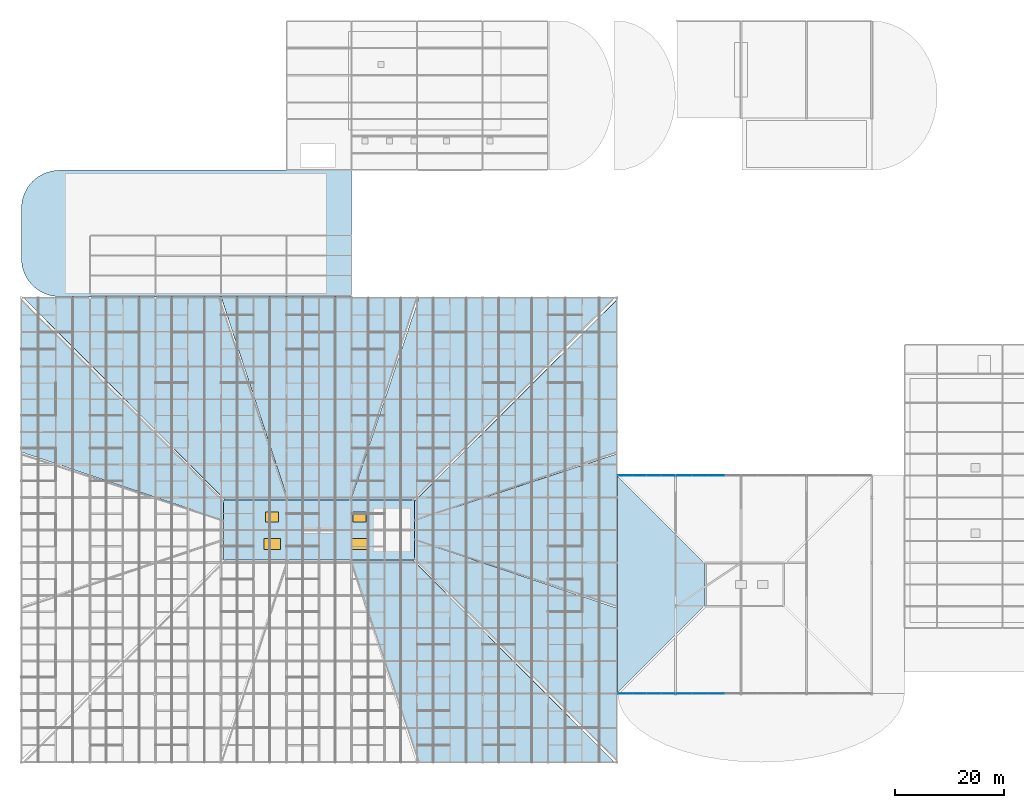
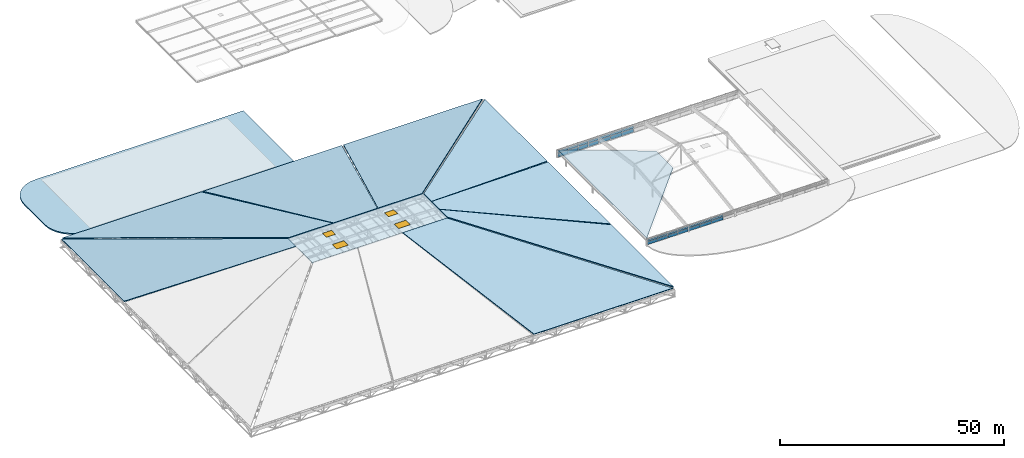
# One storey, part 74 of 80: 28 plates, 11 slabs, 4 windows, 4 openings, 4 elements without a shape of their own.
"""IFC4 building model written with IfcOpenShell, lengths in metres."""

from ifc_helpers import new_model, si_unit, direction, frame, origin, origin_2d, place, context, subcontext, project, spatial, polyline, rectangle, outline, extrude, material, layer, layer_set, type_object, element, fill, aggregate, save


model = new_model("IFC4")

# Units and contexts
model_context = context("Model", 3, precision=1e-05, world=origin(), true_north=direction((0.0, 1.0)))
body_context = subcontext(model_context, "Body", "Model", "MODEL_VIEW")
ifc_project = project(units=[si_unit("LENGTHUNIT", "METRE"), si_unit("AREAUNIT", "SQUARE_METRE"), si_unit("VOLUMEUNIT", "CUBIC_METRE"), si_unit("PLANEANGLEUNIT", "RADIAN"), si_unit("MASSUNIT", "GRAM", prefix="KILO"), si_unit("THERMODYNAMICTEMPERATUREUNIT", "KELVIN"), si_unit("POWERUNIT", "WATT")], contexts=[model_context])

# Site, building, storey
site_placement = place(None, origin())
site = spatial("IfcSite", under=ifc_project, at=site_placement, CompositionType="ELEMENT")
building_placement = place(site_placement, origin())
building = spatial("IfcBuilding", under=site, at=building_placement, Name="Solmara Park Aquatics Centre", CompositionType="ELEMENT")
storey_placement = place(building_placement, frame((0.0, 0.0, 22.800048828125)))
storey = spatial("IfcBuildingStorey", under=building, at=storey_placement, Name="RF", CompositionType="ELEMENT", Elevation=22.800048828125)

# Curtain wall, plates
ifc_material_1 = material(Name="Anodised Aluminium Curtain Wall Framing", Category="aluminium")
curtain_wall_type = type_object("IfcCurtainWallType", Name="ARC-CW-SYS06", PredefinedType="USERDEFINED", material=ifc_material_1)
curtain_wall_1_placement = place(storey_placement, origin())
curtain_wall_1 = element("IfcCurtainWall", 1, at=curtain_wall_1_placement, inside=storey, type_object=curtain_wall_type, Name="Curtain Wall CW-084", ObjectType="CURTAIN WALL", PredefinedType="USERDEFINED")
ifc_material_2 = material(Name="Acoustic Laminated Glazing", Category="glass")
ifc_layer_1 = layer(ifc_material_2, 0.028076171875, Name="Acoustic Laminated Glazing")
ifc_layer_set_1 = layer_set([ifc_layer_1], Name="Acoustic Laminated Glazing")
plate_type_1 = type_object("IfcPlateType", Name="ARC-CWP-GLZ28-2540x1000", PredefinedType="CURTAIN_PANEL", material=ifc_layer_set_1)
plate_1_placement = place(storey_placement, frame((113.364990234375, 52.60009765625, -8.320068359375), z_axis=(0.0, 0.0, 1.0), x_axis=(1.0, 0.0, 0.0)))
plate_1 = element("IfcPlate", 2, at=plate_1_placement, type_object=plate_type_1, Name="CW-084 panel 3", PredefinedType="CURTAIN_PANEL", context=body_context, shape_type="SweptSolid", body=[
    extrude(rectangle(XDim=2.550048828125, YDim=0.028076171875, at=origin_2d()), origin(), (0.0, 0.0, 1.0), 0.99365234375),
])
plate_2_placement = place(storey_placement, frame((115.9951171875, 52.60009765625, -8.320068359375), z_axis=(0.0, 0.0, 1.0), x_axis=(1.0, 0.0, 0.0)))
plate_2 = element("IfcPlate", 3, at=plate_2_placement, type_object=plate_type_1, Name="CW-084 panel 5", PredefinedType="CURTAIN_PANEL", context=body_context, shape_type="SweptSolid", body=[
    extrude(rectangle(XDim=2.550048828125, YDim=0.028076171875, at=origin_2d()), origin(), (0.0, 0.0, 1.0), 0.99365234375),
])

curtain_wall_2_placement = place(storey_placement, origin())
curtain_wall_2 = element("IfcCurtainWall", 4, at=curtain_wall_2_placement, inside=storey, type_object=curtain_wall_type, Name="Curtain Wall CW-083", ObjectType="CURTAIN WALL", PredefinedType="USERDEFINED")
ifc_layer_2 = layer(ifc_material_2, 0.028076171875, Name="Acoustic Laminated Glazing")
ifc_layer_set_2 = layer_set([ifc_layer_2], Name="Acoustic Laminated Glazing")
plate_type_2 = type_object("IfcPlateType", Name="ARC-CWP-GLZ28-2540x560", PredefinedType="CURTAIN_PANEL", material=ifc_layer_set_2)
plate_3_placement = place(storey_placement, frame((113.364990234375, 12.60009765625, -7.11181640625), z_axis=(0.0, 0.0, 1.0), x_axis=(1.0, 0.0, 0.0)))
plate_3 = element("IfcPlate", 5, at=plate_3_placement, type_object=plate_type_2, Name="CW-083 panel 4", PredefinedType="CURTAIN_PANEL", context=body_context, shape_type="SweptSolid", body=[
    extrude(rectangle(XDim=2.550048828125, YDim=0.028076171875, at=origin_2d()), origin(), (0.0, 0.0, 1.0), 0.552001953125),
])
plate_4_placement = place(storey_placement, frame((115.9951171875, 12.60009765625, -7.11181640625), z_axis=(0.0, 0.0, 1.0), x_axis=(1.0, 0.0, 0.0)))
plate_4 = element("IfcPlate", 6, at=plate_4_placement, type_object=plate_type_2, Name="CW-083 panel 6", PredefinedType="CURTAIN_PANEL", context=body_context, shape_type="SweptSolid", body=[
    extrude(rectangle(XDim=2.550048828125, YDim=0.028076171875, at=origin_2d()), origin(), (0.0, 0.0, 1.0), 0.552001953125),
])

# Plate
ifc_layer_3 = layer(ifc_material_2, 0.028076171875, Name="Acoustic Laminated Glazing")
ifc_layer_set_3 = layer_set([ifc_layer_3], Name="Acoustic Laminated Glazing")
plate_type_3 = type_object("IfcPlateType", Name="ARC-CWP-GLZ28-2540x680", PredefinedType="CURTAIN_PANEL", material=ifc_layer_set_3)
plate_5_placement = place(storey_placement, frame((113.364990234375, 52.60009765625, -7.24658203125), z_axis=(0.0, 0.0, 1.0), x_axis=(1.0, 0.0, 0.0)))
plate_5 = element("IfcPlate", 7, at=plate_5_placement, type_object=plate_type_3, Name="CW-084 panel 4", PredefinedType="CURTAIN_PANEL", context=body_context, shape_type="SweptSolid", body=[
    extrude(rectangle(XDim=2.550048828125, YDim=0.028076171875, at=origin_2d()), origin(), (0.0, 0.0, 1.0), 0.686279296875),
])

plate_6_placement = place(storey_placement, frame((115.9951171875, 52.60009765625, -7.24658203125), z_axis=(0.0, 0.0, 1.0), x_axis=(1.0, 0.0, 0.0)))
plate_6 = element("IfcPlate", 8, at=plate_6_placement, type_object=plate_type_3, Name="CW-084 panel 6", PredefinedType="CURTAIN_PANEL", context=body_context, shape_type="SweptSolid", body=[
    extrude(rectangle(XDim=2.550048828125, YDim=0.028076171875, at=origin_2d()), origin(), (0.0, 0.0, 1.0), 0.686279296875),
])

ifc_layer_4 = layer(ifc_material_2, 0.028076171875, Name="Acoustic Laminated Glazing")
ifc_layer_set_4 = layer_set([ifc_layer_4], Name="Acoustic Laminated Glazing")
plate_type_4 = type_object("IfcPlateType", Name="ARC-CWP-GLZ28-2540x800", PredefinedType="CURTAIN_PANEL", material=ifc_layer_set_4)
plate_7_placement = place(storey_placement, frame((113.364990234375, 12.60009765625, -8.0), z_axis=(0.0, 0.0, 1.0), x_axis=(1.0, 0.0, 0.0)))
plate_7 = element("IfcPlate", 9, at=plate_7_placement, type_object=plate_type_4, Name="CW-083 panel 3", PredefinedType="CURTAIN_PANEL", context=body_context, shape_type="SweptSolid", body=[
    extrude(rectangle(XDim=2.550048828125, YDim=0.028076171875, at=origin_2d()), origin(), (0.0, 0.0, 1.0), 0.80810546875),
])

plate_8_placement = place(storey_placement, frame((115.9951171875, 12.60009765625, -8.0), z_axis=(0.0, 0.0, 1.0), x_axis=(1.0, 0.0, 0.0)))
plate_8 = element("IfcPlate", 10, at=plate_8_placement, type_object=plate_type_4, Name="CW-083 panel 5", PredefinedType="CURTAIN_PANEL", context=body_context, shape_type="SweptSolid", body=[
    extrude(rectangle(XDim=2.550048828125, YDim=0.028076171875, at=origin_2d()), origin(), (0.0, 0.0, 1.0), 0.80810546875),
])

ifc_layer_5 = layer(ifc_material_2, 0.028076171875, Name="Acoustic Laminated Glazing")
ifc_layer_set_5 = layer_set([ifc_layer_5], Name="Acoustic Laminated Glazing")
plate_type_5 = type_object("IfcPlateType", Name="ARC-CWP-GLZ28-2560x1000", PredefinedType="CURTAIN_PANEL", material=ifc_layer_set_5)
plate_9_placement = place(storey_placement, frame((110.735107421875, 52.60009765625, -8.320068359375), z_axis=(0.0, 0.0, 1.0), x_axis=(1.0, 0.0, 0.0)))
plate_9 = element("IfcPlate", 11, at=plate_9_placement, type_object=plate_type_5, Name="CW-084 panel 1", PredefinedType="CURTAIN_PANEL", context=body_context, shape_type="SweptSolid", body=[
    extrude(rectangle(XDim=2.550048828125, YDim=0.028076171875, at=origin_2d()), origin(), (0.0, 0.0, 1.0), 0.99365234375),
])

plate_10_placement = place(storey_placement, frame((118.625, 52.60009765625, -8.320068359375), z_axis=(0.0, 0.0, 1.0), x_axis=(1.0, 0.0, 0.0)))
plate_10 = element("IfcPlate", 12, at=plate_10_placement, type_object=plate_type_5, Name="CW-084 panel 7", PredefinedType="CURTAIN_PANEL", context=body_context, shape_type="SweptSolid", body=[
    extrude(rectangle(XDim=2.550048828125, YDim=0.028076171875, at=origin_2d()), origin(), (0.0, 0.0, 1.0), 0.99365234375),
])

ifc_layer_6 = layer(ifc_material_2, 0.028076171875, Name="Acoustic Laminated Glazing")
ifc_layer_set_6 = layer_set([ifc_layer_6], Name="Acoustic Laminated Glazing")
plate_type_6 = type_object("IfcPlateType", Name="ARC-CWP-GLZ28-2560x560", PredefinedType="CURTAIN_PANEL", material=ifc_layer_set_6)
plate_11_placement = place(storey_placement, frame((110.735107421875, 12.60009765625, -7.11181640625), z_axis=(0.0, 0.0, 1.0), x_axis=(1.0, 0.0, 0.0)))
plate_11 = element("IfcPlate", 13, at=plate_11_placement, type_object=plate_type_6, Name="CW-083 panel 2", PredefinedType="CURTAIN_PANEL", context=body_context, shape_type="SweptSolid", body=[
    extrude(rectangle(XDim=2.550048828125, YDim=0.028076171875, at=origin_2d()), origin(), (0.0, 0.0, 1.0), 0.552001953125),
])

plate_12_placement = place(storey_placement, frame((118.625, 12.60009765625, -7.11181640625), z_axis=(0.0, 0.0, 1.0), x_axis=(1.0, 0.0, 0.0)))
plate_12 = element("IfcPlate", 14, at=plate_12_placement, type_object=plate_type_6, Name="CW-083 panel 8", PredefinedType="CURTAIN_PANEL", context=body_context, shape_type="SweptSolid", body=[
    extrude(rectangle(XDim=2.550048828125, YDim=0.028076171875, at=origin_2d()), origin(), (0.0, 0.0, 1.0), 0.552001953125),
])

ifc_layer_7 = layer(ifc_material_2, 0.028076171875, Name="Acoustic Laminated Glazing")
ifc_layer_set_7 = layer_set([ifc_layer_7], Name="Acoustic Laminated Glazing")
plate_type_7 = type_object("IfcPlateType", Name="ARC-CWP-GLZ28-2560x680", PredefinedType="CURTAIN_PANEL", material=ifc_layer_set_7)
plate_13_placement = place(storey_placement, frame((110.735107421875, 52.60009765625, -7.24658203125), z_axis=(0.0, 0.0, 1.0), x_axis=(1.0, 0.0, 0.0)))
plate_13 = element("IfcPlate", 15, at=plate_13_placement, type_object=plate_type_7, Name="CW-084 panel 2", PredefinedType="CURTAIN_PANEL", context=body_context, shape_type="SweptSolid", body=[
    extrude(rectangle(XDim=2.550048828125, YDim=0.028076171875, at=origin_2d()), origin(), (0.0, 0.0, 1.0), 0.686279296875),
])

plate_14_placement = place(storey_placement, frame((118.625, 52.60009765625, -7.24658203125), z_axis=(0.0, 0.0, 1.0), x_axis=(1.0, 0.0, 0.0)))
plate_14 = element("IfcPlate", 16, at=plate_14_placement, type_object=plate_type_7, Name="CW-084 panel 8", PredefinedType="CURTAIN_PANEL", context=body_context, shape_type="SweptSolid", body=[
    extrude(rectangle(XDim=2.550048828125, YDim=0.028076171875, at=origin_2d()), origin(), (0.0, 0.0, 1.0), 0.686279296875),
])

aggregate(curtain_wall_1, [plate_9, plate_13, plate_1, plate_5, plate_2, plate_6, plate_10, plate_14])

ifc_layer_8 = layer(ifc_material_2, 0.028076171875, Name="Acoustic Laminated Glazing")
ifc_layer_set_8 = layer_set([ifc_layer_8], Name="Acoustic Laminated Glazing")
plate_type_8 = type_object("IfcPlateType", Name="ARC-CWP-GLZ28-2560x800", PredefinedType="CURTAIN_PANEL", material=ifc_layer_set_8)
plate_15_placement = place(storey_placement, frame((110.735107421875, 12.60009765625, -8.0), z_axis=(0.0, 0.0, 1.0), x_axis=(1.0, 0.0, 0.0)))
plate_15 = element("IfcPlate", 17, at=plate_15_placement, type_object=plate_type_8, Name="CW-083 panel 1", PredefinedType="CURTAIN_PANEL", context=body_context, shape_type="SweptSolid", body=[
    extrude(rectangle(XDim=2.550048828125, YDim=0.028076171875, at=origin_2d()), origin(), (0.0, 0.0, 1.0), 0.80810546875),
])

plate_16_placement = place(storey_placement, frame((118.625, 12.60009765625, -8.0), z_axis=(0.0, 0.0, 1.0), x_axis=(1.0, 0.0, 0.0)))
plate_16 = element("IfcPlate", 18, at=plate_16_placement, type_object=plate_type_8, Name="CW-083 panel 7", PredefinedType="CURTAIN_PANEL", context=body_context, shape_type="SweptSolid", body=[
    extrude(rectangle(XDim=2.550048828125, YDim=0.028076171875, at=origin_2d()), origin(), (0.0, 0.0, 1.0), 0.80810546875),
])

aggregate(curtain_wall_2, [plate_15, plate_11, plate_7, plate_3, plate_8, plate_4, plate_16, plate_12])

# Curtain wall, plates
curtain_wall_3_placement = place(storey_placement, origin())
curtain_wall_3 = element("IfcCurtainWall", 19, at=curtain_wall_3_placement, inside=storey, type_object=curtain_wall_type, Name="Curtain Wall CW-086", ObjectType="CURTAIN WALL", PredefinedType="USERDEFINED")
ifc_layer_9 = layer(ifc_material_2, 0.028076171875, Name="Acoustic Laminated Glazing")
ifc_layer_set_9 = layer_set([ifc_layer_9], Name="Acoustic Laminated Glazing")
plate_type_9 = type_object("IfcPlateType", Name="ARC-CWP-GLZ28-2900x1000", PredefinedType="CURTAIN_PANEL", material=ifc_layer_set_9)
plate_17_placement = place(storey_placement, frame((121.510009765625, 52.60009765625, -8.320068359375), z_axis=(0.0, 0.0, 1.0), x_axis=(1.0, 0.0, 0.0)))
plate_17 = element("IfcPlate", 20, at=plate_17_placement, type_object=plate_type_9, Name="CW-086 panel 1", PredefinedType="CURTAIN_PANEL", context=body_context, shape_type="SweptSolid", body=[
    extrude(rectangle(XDim=2.89990234375, YDim=0.028076171875, at=origin_2d()), origin(), (0.0, 0.0, 1.0), 0.99365234375),
])
plate_18_placement = place(storey_placement, frame((124.489990234375, 52.60009765625, -8.320068359375), z_axis=(0.0, 0.0, 1.0), x_axis=(1.0, 0.0, 0.0)))
plate_18 = element("IfcPlate", 21, at=plate_18_placement, type_object=plate_type_9, Name="CW-086 panel 3", PredefinedType="CURTAIN_PANEL", context=body_context, shape_type="SweptSolid", body=[
    extrude(rectangle(XDim=2.89990234375, YDim=0.028076171875, at=origin_2d()), origin(), (0.0, 0.0, 1.0), 0.99365234375),
])
plate_19_placement = place(storey_placement, frame((127.469970703125, 52.60009765625, -8.320068359375), z_axis=(0.0, 0.0, 1.0), x_axis=(1.0, 0.0, 0.0)))
plate_19 = element("IfcPlate", 22, at=plate_19_placement, type_object=plate_type_9, Name="CW-086 panel 5", PredefinedType="CURTAIN_PANEL", context=body_context, shape_type="SweptSolid", body=[
    extrude(rectangle(XDim=2.89990234375, YDim=0.028076171875, at=origin_2d()), origin(), (0.0, 0.0, 1.0), 0.99365234375),
])

curtain_wall_4_placement = place(storey_placement, origin())
curtain_wall_4 = element("IfcCurtainWall", 23, at=curtain_wall_4_placement, inside=storey, type_object=curtain_wall_type, Name="Curtain Wall CW-085", ObjectType="CURTAIN WALL", PredefinedType="USERDEFINED")
ifc_layer_10 = layer(ifc_material_2, 0.028076171875, Name="Acoustic Laminated Glazing")
ifc_layer_set_10 = layer_set([ifc_layer_10], Name="Acoustic Laminated Glazing")
plate_type_10 = type_object("IfcPlateType", Name="ARC-CWP-GLZ28-2900x560", PredefinedType="CURTAIN_PANEL", material=ifc_layer_set_10)
plate_20_placement = place(storey_placement, frame((121.510009765625, 12.60009765625, -7.11181640625), z_axis=(0.0, 0.0, 1.0), x_axis=(1.0, 0.0, 0.0)))
plate_20 = element("IfcPlate", 24, at=plate_20_placement, type_object=plate_type_10, Name="CW-085 panel 2", PredefinedType="CURTAIN_PANEL", context=body_context, shape_type="SweptSolid", body=[
    extrude(rectangle(XDim=2.89990234375, YDim=0.028076171875, at=origin_2d()), origin(), (0.0, 0.0, 1.0), 0.552001953125),
])
plate_21_placement = place(storey_placement, frame((124.489990234375, 12.60009765625, -7.11181640625), z_axis=(0.0, 0.0, 1.0), x_axis=(1.0, 0.0, 0.0)))
plate_21 = element("IfcPlate", 25, at=plate_21_placement, type_object=plate_type_10, Name="CW-085 panel 4", PredefinedType="CURTAIN_PANEL", context=body_context, shape_type="SweptSolid", body=[
    extrude(rectangle(XDim=2.89990234375, YDim=0.028076171875, at=origin_2d()), origin(), (0.0, 0.0, 1.0), 0.552001953125),
])
plate_22_placement = place(storey_placement, frame((127.469970703125, 12.60009765625, -7.11181640625), z_axis=(0.0, 0.0, 1.0), x_axis=(1.0, 0.0, 0.0)))
plate_22 = element("IfcPlate", 26, at=plate_22_placement, type_object=plate_type_10, Name="CW-085 panel 6", PredefinedType="CURTAIN_PANEL", context=body_context, shape_type="SweptSolid", body=[
    extrude(rectangle(XDim=2.89990234375, YDim=0.028076171875, at=origin_2d()), origin(), (0.0, 0.0, 1.0), 0.552001953125),
])

# Plate
ifc_layer_11 = layer(ifc_material_2, 0.028076171875, Name="Acoustic Laminated Glazing")
ifc_layer_set_11 = layer_set([ifc_layer_11], Name="Acoustic Laminated Glazing")
plate_type_11 = type_object("IfcPlateType", Name="ARC-CWP-GLZ28-2900x680", PredefinedType="CURTAIN_PANEL", material=ifc_layer_set_11)
plate_23_placement = place(storey_placement, frame((121.510009765625, 52.60009765625, -7.24658203125), z_axis=(0.0, 0.0, 1.0), x_axis=(1.0, 0.0, 0.0)))
plate_23 = element("IfcPlate", 27, at=plate_23_placement, type_object=plate_type_11, Name="CW-086 panel 2", PredefinedType="CURTAIN_PANEL", context=body_context, shape_type="SweptSolid", body=[
    extrude(rectangle(XDim=2.89990234375, YDim=0.028076171875, at=origin_2d()), origin(), (0.0, 0.0, 1.0), 0.686279296875),
])

plate_24_placement = place(storey_placement, frame((124.489990234375, 52.60009765625, -7.24658203125), z_axis=(0.0, 0.0, 1.0), x_axis=(1.0, 0.0, 0.0)))
plate_24 = element("IfcPlate", 28, at=plate_24_placement, type_object=plate_type_11, Name="CW-086 panel 4", PredefinedType="CURTAIN_PANEL", context=body_context, shape_type="SweptSolid", body=[
    extrude(rectangle(XDim=2.89990234375, YDim=0.028076171875, at=origin_2d()), origin(), (0.0, 0.0, 1.0), 0.686279296875),
])

plate_25_placement = place(storey_placement, frame((127.469970703125, 52.60009765625, -7.24658203125), z_axis=(0.0, 0.0, 1.0), x_axis=(1.0, 0.0, 0.0)))
plate_25 = element("IfcPlate", 29, at=plate_25_placement, type_object=plate_type_11, Name="CW-086 panel 6", PredefinedType="CURTAIN_PANEL", context=body_context, shape_type="SweptSolid", body=[
    extrude(rectangle(XDim=2.89990234375, YDim=0.028076171875, at=origin_2d()), origin(), (0.0, 0.0, 1.0), 0.686279296875),
])

aggregate(curtain_wall_3, [plate_17, plate_23, plate_18, plate_24, plate_19, plate_25])

ifc_layer_12 = layer(ifc_material_2, 0.028076171875, Name="Acoustic Laminated Glazing")
ifc_layer_set_12 = layer_set([ifc_layer_12], Name="Acoustic Laminated Glazing")
plate_type_12 = type_object("IfcPlateType", Name="ARC-CWP-GLZ28-2900x800", PredefinedType="CURTAIN_PANEL", material=ifc_layer_set_12)
plate_26_placement = place(storey_placement, frame((121.510009765625, 12.60009765625, -8.0), z_axis=(0.0, 0.0, 1.0), x_axis=(1.0, 0.0, 0.0)))
plate_26 = element("IfcPlate", 30, at=plate_26_placement, type_object=plate_type_12, Name="CW-085 panel 1", PredefinedType="CURTAIN_PANEL", context=body_context, shape_type="SweptSolid", body=[
    extrude(rectangle(XDim=2.89990234375, YDim=0.028076171875, at=origin_2d()), origin(), (0.0, 0.0, 1.0), 0.80810546875),
])

plate_27_placement = place(storey_placement, frame((124.489990234375, 12.60009765625, -8.0), z_axis=(0.0, 0.0, 1.0), x_axis=(1.0, 0.0, 0.0)))
plate_27 = element("IfcPlate", 31, at=plate_27_placement, type_object=plate_type_12, Name="CW-085 panel 3", PredefinedType="CURTAIN_PANEL", context=body_context, shape_type="SweptSolid", body=[
    extrude(rectangle(XDim=2.89990234375, YDim=0.028076171875, at=origin_2d()), origin(), (0.0, 0.0, 1.0), 0.80810546875),
])

plate_28_placement = place(storey_placement, frame((127.469970703125, 12.60009765625, -8.0), z_axis=(0.0, 0.0, 1.0), x_axis=(1.0, 0.0, 0.0)))
plate_28 = element("IfcPlate", 32, at=plate_28_placement, type_object=plate_type_12, Name="CW-085 panel 5", PredefinedType="CURTAIN_PANEL", context=body_context, shape_type="SweptSolid", body=[
    extrude(rectangle(XDim=2.89990234375, YDim=0.028076171875, at=origin_2d()), origin(), (0.0, 0.0, 1.0), 0.80810546875),
])

aggregate(curtain_wall_4, [plate_26, plate_20, plate_27, plate_21, plate_28, plate_22])

# Slabs
ifc_material_3 = material(Name="Concrete C40/50", Category="concrete")
ifc_layer_13 = layer(ifc_material_3, 0.239990234375, Name="Concrete C40/50")
ifc_layer_set_13 = layer_set([ifc_layer_13], Name="Concrete C40/50")
slab_type_1 = type_object("IfcSlabType", Name="STR-SLB-ROOF240", PredefinedType="ROOF", material=ifc_layer_set_13)
slab_1_placement = place(storey_placement, frame((72.944091796875, 0.0, -11.949951171875), z_axis=(0.0, -0.25037850005, 0.968148029339), x_axis=(1.0, 0.0, 0.0)))
element("IfcSlab", 33, at=slab_1_placement, inside=storey, type_object=slab_type_1, Name="Competition Hall Hipped Roof Panel SOUTH-3", PredefinedType="ROOF", context=body_context, shape_type="SweptSolid", body=[
    extrude(outline(polyline([(0.0, 0.0), (35.818359375, 0.0), (-1.153076171875, 38.34136522784746), (-12.521728515625, 38.34136522784746), (0.0, 0.0)])), origin(), (0.0, 0.0, -1.0), 0.239990234375),
])
slab_2_placement = place(storey_placement, frame((108.762451171875, 85.199951171875, -11.949951171875), z_axis=(0.0, 0.250380043576, 0.968147630157), x_axis=(-1.0, 0.0, 0.0)))
element("IfcSlab", 34, at=slab_2_placement, inside=storey, type_object=slab_type_1, Name="Competition Hall Hipped Roof Panel NORTH-1", PredefinedType="ROOF", context=body_context, shape_type="SweptSolid", body=[
    extrude(outline(polyline([(0.0, 0.0), (35.818359375, 0.0), (48.340087890625, 38.34112886363122), (36.971435546875, 38.34112886363122), (0.0, 0.0)])), origin(), (0.0, 0.0, -1.0), 0.239990234375),
])
slab_3_placement = place(storey_placement, frame((72.509033203125, 85.199951171875, -11.949951171875), z_axis=(0.0, 0.250380043576, 0.968147630157), x_axis=(-1.0, 0.0, 0.0)))
element("IfcSlab", 35, at=slab_3_placement, inside=storey, type_object=slab_type_1, Name="Competition Hall Hipped Roof Panel NORTH-2", PredefinedType="ROOF", context=body_context, shape_type="SweptSolid", body=[
    extrude(outline(polyline([(0.0, 0.0), (35.818115234375, 0.0), (23.59326171875, 38.34112886363121), (12.224853515625, 38.34112886363121), (0.0, 0.0)])), origin(), (0.0, 0.0, -1.0), 0.239990234375),
])
slab_4_placement = place(storey_placement, frame((36.255859375, 85.199951171875, -11.949951171875), z_axis=(0.0, 0.250380043576, 0.968147630157), x_axis=(-1.0, 0.0, 0.0)))
element("IfcSlab", 36, at=slab_4_placement, inside=storey, type_object=slab_type_1, Name="Competition Hall Hipped Roof Panel NORTH-3", PredefinedType="ROOF", context=body_context, shape_type="SweptSolid", body=[
    extrude(outline(polyline([(0.0, 0.0), (35.818359375, 0.0), (-1.153076171875, 38.34112886363122), (-12.521728515625, 38.34112886363122), (0.0, 0.0)])), origin(), (0.0, 0.0, -1.0), 0.239990234375),
])
slab_5_placement = place(storey_placement, frame((0.0, 84.810546875, -11.949951171875), z_axis=(-0.25037850005, 0.0, 0.968148029339), x_axis=(0.0, -1.0, 0.0)))
element("IfcSlab", 37, at=slab_5_placement, inside=storey, type_object=slab_type_1, Name="Competition Hall Hipped Roof Panel WEST-1", PredefinedType="ROOF", context=body_context, shape_type="SweptSolid", body=[
    extrude(outline(polyline([(0.0, 0.0), (27.914306640625, 0.0), (40.43603515625, 38.34136522784746), (36.971435546875, 38.34136522784746), (0.0, 0.0)])), origin(), (0.0, 0.0, -1.0), 0.239990234375),
])
slab_6_placement = place(storey_placement, frame((109.199951171875, 0.389404296875, -11.949951171875), z_axis=(0.250380043576, 0.0, 0.968147630157), x_axis=(0.0, 1.0, 0.0)))
element("IfcSlab", 38, at=slab_6_placement, inside=storey, type_object=slab_type_1, Name="Competition Hall Hipped Roof Panel EAST-1", PredefinedType="ROOF", context=body_context, shape_type="SweptSolid", body=[
    extrude(outline(polyline([(0.0, 0.0), (27.914306640625, 0.0), (40.436279296875, 38.34112886363122), (36.9716796875, 38.34112886363122), (0.0, 0.0)])), origin(), (0.0, 0.0, -1.0), 0.239990234375),
])
slab_7_placement = place(storey_placement, frame((109.199951171875, 28.642822265625, -11.949951171875), z_axis=(0.250380043576, 0.0, 0.968147630157), x_axis=(0.0, 1.0, 0.0)))
element("IfcSlab", 39, at=slab_7_placement, inside=storey, type_object=slab_type_1, Name="Competition Hall Hipped Roof Panel EAST-2", PredefinedType="ROOF", context=body_context, shape_type="SweptSolid", body=[
    extrude(outline(polyline([(0.0, 0.0), (27.914306640625, 0.0), (15.689453125, 38.34112886363122), (12.224853515625, 38.34112886363122), (0.0, 0.0)])), origin(), (0.0, 0.0, -1.0), 0.239990234375),
])
slab_8_placement = place(storey_placement, frame((109.199951171875, 56.896240234375, -11.949951171875), z_axis=(0.250380043576, 0.0, 0.968147630157), x_axis=(0.0, 1.0, 0.0)))
element("IfcSlab", 40, at=slab_8_placement, inside=storey, type_object=slab_type_1, Name="Competition Hall Hipped Roof Panel EAST-3", PredefinedType="ROOF", context=body_context, shape_type="SweptSolid", body=[
    extrude(outline(polyline([(0.0, 0.0), (27.914306640625, 0.0), (-9.05712890625, 38.34112886363122), (-12.521728515625, 38.34112886363122), (0.0, 0.0)])), origin(), (0.0, 0.0, -1.0), 0.239990234375),
])

# Slab, openings, windows
slab_9_placement = place(storey_placement, frame((0.0, 0.0, -2.66015625)))
slab_9 = element("IfcSlab", 41, at=slab_9_placement, inside=storey, type_object=slab_type_1, Name="Competition Hall Crown Roof Deck", PredefinedType="ROOF", context=body_context, shape_type="SweptSolid", body=[
    extrude(outline(polyline([(37.1201171875, 37.1201171875), (72.080078125, 37.1201171875), (72.080078125, 48.080078125), (37.1201171875, 48.080078125), (37.1201171875, 37.1201171875)])), origin(), (0.0, 0.0, 1.0), 0.239990234375),
])
opening_1_placement = place(slab_9_placement, frame((46.0, 40.0, 0.0)))
opening_1 = element("IfcOpeningElement", 42, at=opening_1_placement, cuts=slab_9, Name="Opening SK-01", PredefinedType="OPENING", context=body_context, shape_type="SweptSolid", body=[
    extrude(rectangle(XDim=3.0, YDim=2.0, at=origin_2d()), frame((0.0, 0.0, -0.010009765625)), (0.0, 0.0, 1.0), 0.260009765625),
])
opening_2_placement = place(slab_9_placement, frame((62.0, 40.0, 0.0)))
opening_2 = element("IfcOpeningElement", 43, at=opening_2_placement, cuts=slab_9, Name="Opening SK-01", PredefinedType="OPENING", context=body_context, shape_type="SweptSolid", body=[
    extrude(rectangle(XDim=3.0, YDim=2.0, at=origin_2d()), frame((0.0, 0.0, -0.010009765625)), (0.0, 0.0, 1.0), 0.260009765625),
])
opening_3_placement = place(slab_9_placement, frame((46.0, 45.0, 0.0)))
opening_3 = element("IfcOpeningElement", 44, at=opening_3_placement, cuts=slab_9, Name="Opening SK-02", PredefinedType="OPENING", context=body_context, shape_type="SweptSolid", body=[
    extrude(rectangle(XDim=2.39990234375, YDim=1.800048828125, at=origin_2d()), frame((0.0, 0.0, -0.010009765625)), (0.0, 0.0, 1.0), 0.260009765625),
])
opening_4_placement = place(slab_9_placement, frame((62.0, 45.0, 0.0)))
opening_4 = element("IfcOpeningElement", 45, at=opening_4_placement, cuts=slab_9, Name="Opening SK-02", PredefinedType="OPENING", context=body_context, shape_type="SweptSolid", body=[
    extrude(rectangle(XDim=2.39990234375, YDim=1.800048828125, at=origin_2d()), frame((0.0, 0.0, -0.010009765625)), (0.0, 0.0, 1.0), 0.260009765625),
])
ifc_material_4 = material(Name="Thermally Broken Aluminium and Low-E Double Glazing", Category="aluminium")
window_type_1 = type_object("IfcWindowType", Name="ARC-SKY-240x180", PartitioningType="SINGLE_PANEL", PredefinedType="SKYLIGHT", material=ifc_material_4)
window_1_placement = place(opening_3_placement, frame((0.0, 0.0, 0.18994140625)))
window_1 = element("IfcWindow", 46, at=window_1_placement, inside=storey, type_object=window_type_1, Name="Roof Daylight Skylight SKY-03", OverallHeight=1.800048828125, OverallWidth=2.39990234375, PartitioningType="SINGLE_PANEL", PredefinedType="SKYLIGHT", context=body_context, shape_type="SweptSolid", body=[
    extrude(rectangle(XDim=2.39990234375, YDim=1.800048828125, at=origin_2d()), origin(), (0.0, 0.0, 1.0), 0.050048828125),
])
fill(opening_3, window_1)
window_2_placement = place(opening_4_placement, frame((0.0, 0.0, 0.18994140625)))
window_2 = element("IfcWindow", 47, at=window_2_placement, inside=storey, type_object=window_type_1, Name="Roof Daylight Skylight SKY-04", OverallHeight=1.800048828125, OverallWidth=2.39990234375, PartitioningType="SINGLE_PANEL", PredefinedType="SKYLIGHT", context=body_context, shape_type="SweptSolid", body=[
    extrude(rectangle(XDim=2.39990234375, YDim=1.800048828125, at=origin_2d()), origin(), (0.0, 0.0, 1.0), 0.050048828125),
])
fill(opening_4, window_2)
window_type_2 = type_object("IfcWindowType", Name="ARC-SKY-300x200", PartitioningType="SINGLE_PANEL", PredefinedType="SKYLIGHT", material=ifc_material_4)
window_3_placement = place(opening_1_placement, frame((0.0, 0.0, 0.18994140625)))
window_3 = element("IfcWindow", 48, at=window_3_placement, inside=storey, type_object=window_type_2, Name="Roof Daylight Skylight SKY-01", OverallHeight=2.0, OverallWidth=3.0, PartitioningType="SINGLE_PANEL", PredefinedType="SKYLIGHT", context=body_context, shape_type="SweptSolid", body=[
    extrude(rectangle(XDim=3.0, YDim=2.0, at=origin_2d()), origin(), (0.0, 0.0, 1.0), 0.050048828125),
])
fill(opening_1, window_3)
window_4_placement = place(opening_2_placement, frame((0.0, 0.0, 0.18994140625)))
window_4 = element("IfcWindow", 49, at=window_4_placement, inside=storey, type_object=window_type_2, Name="Roof Daylight Skylight SKY-02", OverallHeight=2.0, OverallWidth=3.0, PartitioningType="SINGLE_PANEL", PredefinedType="SKYLIGHT", context=body_context, shape_type="SweptSolid", body=[
    extrude(rectangle(XDim=3.0, YDim=2.0, at=origin_2d()), origin(), (0.0, 0.0, 1.0), 0.050048828125),
])
fill(opening_2, window_4)

# Slabs
slab_10_placement = place(storey_placement, frame((109.39990234375, 52.3798828125, -6.239990234375), z_axis=(-0.233363973654, 0.0, 0.972389456854), x_axis=(0.0, -1.0, 0.0)))
element("IfcSlab", 50, at=slab_10_placement, inside=storey, type_object=slab_type_1, Name="Diving Pavilion Hipped Roof W", PredefinedType="ROOF", context=body_context, shape_type="SweptSolid", body=[
    extrude(outline(polyline([(0.0, 0.0), (39.559814453125, 0.0), (23.559814453125, 16.45431250537117), (16.0, 16.45431250537117), (0.0, 0.0)])), origin(), (0.0, 0.0, -1.0), 0.239990234375),
])
ifc_layer_14 = layer(ifc_material_3, 0.320068359375, Name="Concrete C40/50")
ifc_layer_set_14 = layer_set([ifc_layer_14], Name="Concrete C40/50")
slab_type_2 = type_object("IfcSlabType", Name="STR-SLB-ROOF320", PredefinedType="ROOF", material=ifc_layer_set_14)
slab_11_placement = place(storey_placement, frame((0.0, 0.0, -12.840087890625)))
element("IfcSlab", 51, at=slab_11_placement, inside=storey, type_object=slab_type_2, Name="Changing Villages Insulated Roof Slab", PredefinedType="ROOF", context=body_context, shape_type="SweptSolid", body=[
    extrude(outline(polyline([(0.0, 92.39990234375), (0.134521484375, 91.034423828125), (0.53271484375, 89.72119140625), (1.1796875, 88.510986328125), (2.05029296875, 87.4501953125), (3.111083984375, 86.57958984375), (4.3212890625, 85.932861328125), (5.634521484375, 85.534423828125), (7.0, 85.39990234375), (60.60009765625, 85.39990234375), (60.60009765625, 108.60009765625), (7.0, 108.60009765625), (5.634521484375, 108.465576171875), (4.3212890625, 108.067138671875), (3.111083984375, 107.42041015625), (2.05029296875, 106.5498046875), (1.1796875, 105.489013671875), (0.53271484375, 104.27880859375), (0.134521484375, 102.965576171875), (0.0, 101.60009765625), (0.0, 92.39990234375)])), origin(), (0.0, 0.0, 1.0), 0.320068359375),
])

save(model, "model.ifc")
